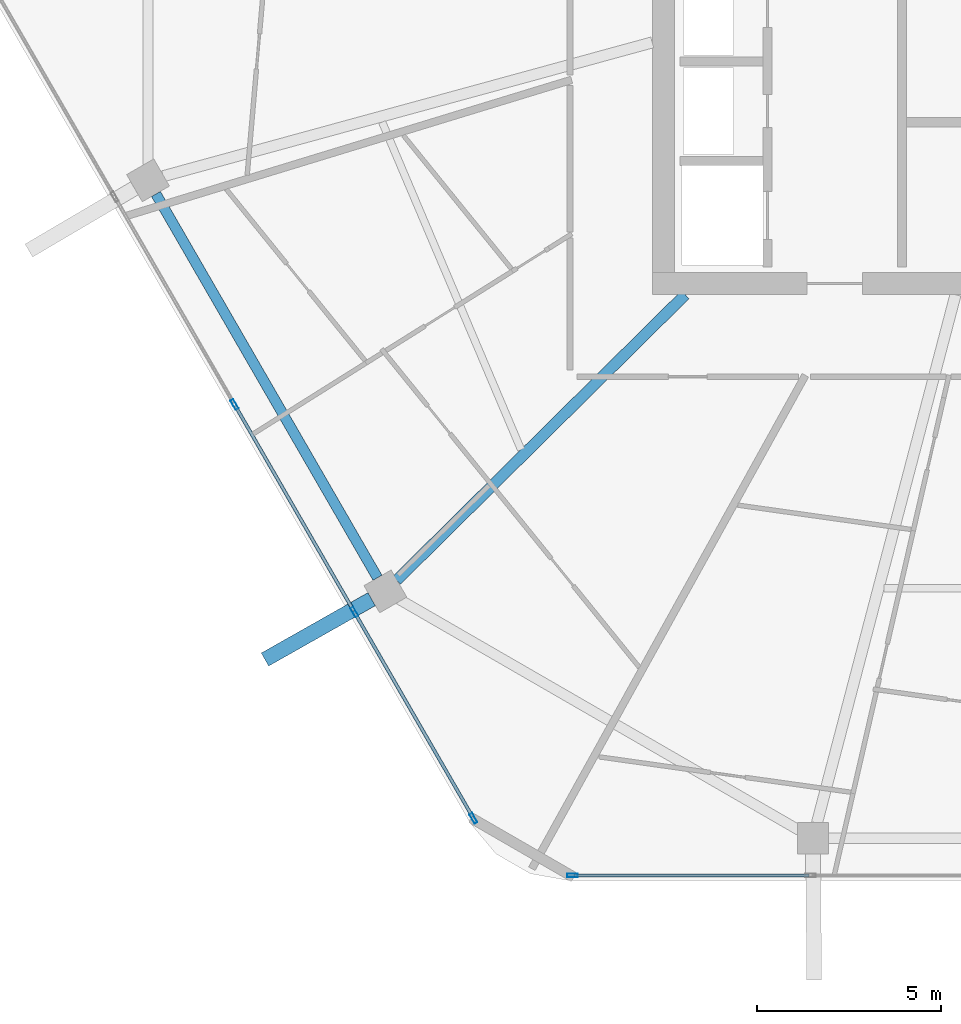
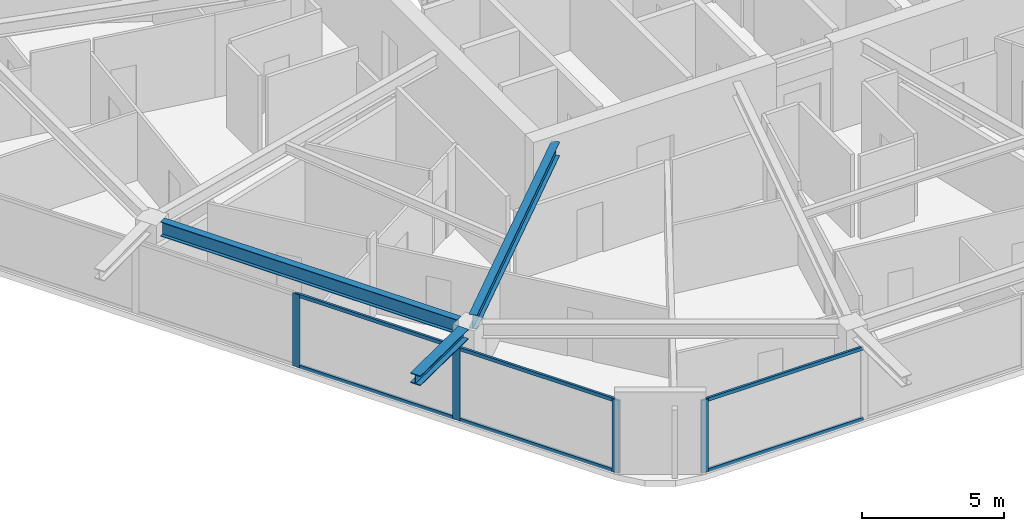
# One storey, part 2 of 26: 10 members, 3 beams, 2 elements without a shape of their own.
"""IFC4 building model written with IfcOpenShell, lengths in metres."""

from ifc_helpers import new_model, si_unit, direction, frame, origin, origin_2d, place, context, subcontext, project, spatial, hollow_rectangle, i_section, extrude, material, material_profile, profile_set, type_object, element, aggregate, save


model = new_model("IFC4")

# Units and contexts
model_context = context("Model", 3, precision=1e-05, world=origin(), true_north=direction((0.0, 1.0)))
body_context = subcontext(model_context, "Body", "Model", "MODEL_VIEW")
ifc_project = project(units=[si_unit("LENGTHUNIT", "METRE"), si_unit("AREAUNIT", "SQUARE_METRE"), si_unit("VOLUMEUNIT", "CUBIC_METRE"), si_unit("PLANEANGLEUNIT", "RADIAN"), si_unit("MASSUNIT", "GRAM", prefix="KILO")], contexts=[model_context])

# Site, building, storey
site_placement = place(None, origin())
site = spatial("IfcSite", under=ifc_project, at=site_placement, CompositionType="ELEMENT")
building_placement = place(site_placement, origin())
building = spatial("IfcBuilding", under=site, at=building_placement, Name="Zuhravey Tower", CompositionType="ELEMENT")
storey_placement = place(building_placement, frame((0.0, 0.0, 280.60009765625)))
storey = spatial("IfcBuildingStorey", under=building, at=storey_placement, Name="L71", CompositionType="ELEMENT", Elevation=280.60009765625)

# Curtain wall, member
ifc_material_1 = material(Name="Thermally broken anodised aluminium", Category="aluminium")
curtain_wall_type = type_object("IfcCurtainWallType", Name="Zone 3-4 High-Rise Curtain Wall CW4", PredefinedType="NOTDEFINED", material=ifc_material_1)
curtain_wall_1_placement = place(storey_placement, origin())
curtain_wall_1 = element("IfcCurtainWall", 1, at=curtain_wall_1_placement, inside=storey, type_object=curtain_wall_type, Name="L71 CW4 CW-L71-F5-1", PredefinedType="NOTDEFINED")
ifc_material_2 = material(Name="Anodised aluminium", Category="aluminium")
ifc_material_profile_1 = material_profile(ifc_material_2, hollow_rectangle(XDim=0.090087890625, YDim=0.284912109375, WallThickness=0.0048828125, at=origin_2d()), Name="ALU-RHS-90x285x5")
ifc_profile_set_1 = profile_set([ifc_material_profile_1], Name="Anodised aluminium")
member_type_1 = type_object("IfcMemberType", Name="Curtain-Wall Mullion 90x180", PredefinedType="MULLION", material=ifc_profile_set_1)
member_1_placement = place(storey_placement, frame((23.0322265625, 6.436279296875, 0.0), z_axis=(0.0, 0.0, 1.0), x_axis=(0.0, -1.0, 0.0)))
member_1 = element("IfcMember", 2, at=member_1_placement, type_object=member_type_1, Name="CW4 mullion 5", PredefinedType="MULLION", context=body_context, shape_type="SweptSolid", body=[
    extrude(hollow_rectangle(XDim=0.090087890625, YDim=0.284912109375, WallThickness=0.0048828125, at=origin_2d()), origin(), (0.0, 0.0, 1.0), 3.121826171875),
])

# Curtain wall, members
curtain_wall_2_placement = place(storey_placement, origin())
curtain_wall_2 = element("IfcCurtainWall", 3, at=curtain_wall_2_placement, inside=storey, type_object=curtain_wall_type, Name="L71 CW4 CW-L71-F4-1", PredefinedType="NOTDEFINED")
member_2_placement = place(storey_placement, frame((20.34521484375, 7.98779296875, 0.0), z_axis=(0.0, 0.0, 1.0), x_axis=(-0.866024851021, -0.500000957414, 0.0)))
member_2 = element("IfcMember", 4, at=member_2_placement, type_object=member_type_1, Name="CW4 mullion 1", PredefinedType="MULLION", context=body_context, shape_type="SweptSolid", body=[
    extrude(hollow_rectangle(XDim=0.090087890625, YDim=0.284912109375, WallThickness=0.0048828125, at=origin_2d()), origin(), (0.0, 0.0, 1.0), 3.121826171875),
])
member_3_placement = place(storey_placement, frame((17.114501953125, 13.58349609375, 0.0), z_axis=(0.0, 0.0, 1.0), x_axis=(-0.866024851021, -0.500000957414, 0.0)))
member_3 = element("IfcMember", 5, at=member_3_placement, type_object=member_type_1, Name="CW4 mullion 2", PredefinedType="MULLION", context=body_context, shape_type="SweptSolid", body=[
    extrude(hollow_rectangle(XDim=0.090087890625, YDim=0.284912109375, WallThickness=0.0048828125, at=origin_2d()), origin(), (0.0, 0.0, 1.0), 3.121826171875),
])
member_4_placement = place(storey_placement, frame((13.861328125, 19.21826171875, 0.0), z_axis=(0.0, 0.0, 1.0), x_axis=(-0.866024851021, -0.500000957414, 0.0)))
member_4 = element("IfcMember", 6, at=member_4_placement, type_object=member_type_1, Name="CW4 mullion 3", PredefinedType="MULLION", context=body_context, shape_type="SweptSolid", body=[
    extrude(hollow_rectangle(XDim=0.090087890625, YDim=0.284912109375, WallThickness=0.0048828125, at=origin_2d()), origin(), (0.0, 0.0, 1.0), 3.121826171875),
])

# Member
ifc_material_profile_2 = material_profile(ifc_material_2, hollow_rectangle(XDim=0.090087890625, YDim=0.14990234375, WallThickness=0.0048828125, at=origin_2d()), Name="ALU-RHS-90x150x5")
ifc_profile_set_2 = profile_set([ifc_material_profile_2], Name="Anodised aluminium")
member_type_2 = type_object("IfcMemberType", Name="Curtain-Wall Transom 90x150", PredefinedType="USERDEFINED", material=ifc_profile_set_2)
member_5_placement = place(storey_placement, frame((29.44873046875, 6.436279296875, 0.044921875), z_axis=(-1.0, 0.0, 0.0), x_axis=(0.0, -1.0, 0.0)))
member_5 = element("IfcMember", 7, at=member_5_placement, type_object=member_type_2, Name="CW4 transom 4.1", ObjectType="TRANSOM", PredefinedType="USERDEFINED", context=body_context, shape_type="SweptSolid", body=[
    extrude(hollow_rectangle(XDim=0.090087890625, YDim=0.14990234375, WallThickness=0.0048828125, at=origin_2d()), origin(), (0.0, 0.0, 1.0), 6.371337890625),
])

member_6_placement = place(storey_placement, frame((29.44873046875, 6.436279296875, 3.076904296875), z_axis=(-1.0, 0.0, 0.0), x_axis=(0.0, -1.0, 0.0)))
member_6 = element("IfcMember", 8, at=member_6_placement, type_object=member_type_2, Name="CW4 transom 4.2", ObjectType="TRANSOM", PredefinedType="USERDEFINED", context=body_context, shape_type="SweptSolid", body=[
    extrude(hollow_rectangle(XDim=0.090087890625, YDim=0.14990234375, WallThickness=0.0048828125, at=origin_2d()), origin(), (0.0, 0.0, 1.0), 6.371337890625),
])

aggregate(curtain_wall_1, [member_1, member_5, member_6])

member_7_placement = place(storey_placement, frame((20.322509765625, 8.02685546875, 0.044921875), z_axis=(-0.499980071345, 0.866036909293, 0.0), x_axis=(-0.866036909293, -0.499980071345, 0.0)))
member_7 = element("IfcMember", 9, at=member_7_placement, type_object=member_type_2, Name="CW4 transom 1.1", ObjectType="TRANSOM", PredefinedType="USERDEFINED", context=body_context, shape_type="SweptSolid", body=[
    extrude(hollow_rectangle(XDim=0.090087890625, YDim=0.14990234375, WallThickness=0.0048828125, at=origin_2d()), origin(), (0.0, 0.0, 1.0), 6.371337890625),
])

member_8_placement = place(storey_placement, frame((20.322509765625, 8.02685546875, 3.076904296875), z_axis=(-0.499980071345, 0.866036909293, 0.0), x_axis=(-0.866036909293, -0.499980071345, 0.0)))
member_8 = element("IfcMember", 10, at=member_8_placement, type_object=member_type_2, Name="CW4 transom 1.2", ObjectType="TRANSOM", PredefinedType="USERDEFINED", context=body_context, shape_type="SweptSolid", body=[
    extrude(hollow_rectangle(XDim=0.090087890625, YDim=0.14990234375, WallThickness=0.0048828125, at=origin_2d()), origin(), (0.0, 0.0, 1.0), 6.371337890625),
])

member_9_placement = place(storey_placement, frame((17.092041015625, 13.62255859375, 0.044921875), z_axis=(-0.500014493347, 0.866017035885, 0.0), x_axis=(-0.866017035885, -0.500014493347, 0.0)))
member_9 = element("IfcMember", 11, at=member_9_placement, type_object=member_type_2, Name="CW4 transom 2.1", ObjectType="TRANSOM", PredefinedType="USERDEFINED", context=body_context, shape_type="SweptSolid", body=[
    extrude(hollow_rectangle(XDim=0.090087890625, YDim=0.14990234375, WallThickness=0.0048828125, at=origin_2d()), origin(), (0.0, 0.0, 1.0), 6.416259765625),
])

member_10_placement = place(storey_placement, frame((17.092041015625, 13.62255859375, 3.076904296875), z_axis=(-0.500014493347, 0.866017035885, 0.0), x_axis=(-0.866017035885, -0.500014493347, 0.0)))
member_10 = element("IfcMember", 12, at=member_10_placement, type_object=member_type_2, Name="CW4 transom 2.2", ObjectType="TRANSOM", PredefinedType="USERDEFINED", context=body_context, shape_type="SweptSolid", body=[
    extrude(hollow_rectangle(XDim=0.090087890625, YDim=0.14990234375, WallThickness=0.0048828125, at=origin_2d()), origin(), (0.0, 0.0, 1.0), 6.416259765625),
])

aggregate(curtain_wall_2, [member_2, member_3, member_4, member_7, member_8, member_9, member_10])

# Beams
ifc_material_3 = material(Name="Steel SM460", Category="steel")
ifc_material_profile_3 = material_profile(ifc_material_3, i_section(OverallWidth=0.406982421875, OverallDepth=0.427978515625, WebThickness=0.02001953125, FlangeThickness=0.034912109375, at=origin_2d()), Name="H-428x407x20x35")
ifc_profile_set_3 = profile_set([ifc_material_profile_3], Name="Steel SM460")
beam_type_1 = type_object("IfcBeamType", Name="Exoskeleton Node Tie Beam H428x407", PredefinedType="BEAM", material=ifc_profile_set_3)
beam_1_placement = place(storey_placement, frame((17.5830078125, 13.93408203125, 3.3359375), z_axis=(-0.870385064001, -0.492371648619, 0.0), x_axis=(0.492371648619, -0.870385064001, 0.0)))
element("IfcBeam", 13, at=beam_1_placement, inside=storey, type_object=beam_type_1, Name="L71 Exoskeleton Node Tie NT1-08", PredefinedType="BEAM", context=body_context, shape_type="SweptSolid", body=[
    extrude(i_section(OverallWidth=0.406982421875, OverallDepth=0.427978515625, WebThickness=0.02001953125, FlangeThickness=0.034912109375, at=origin_2d()), origin(), (0.0, 0.0, 1.0), 3.326171875),
])
ifc_material_4 = material(Name="Steel SM355", Category="steel")
ifc_material_profile_4 = material_profile(ifc_material_4, i_section(OverallWidth=0.280029296875, OverallDepth=0.6201171875, WebThickness=0.011962890625, FlangeThickness=0.02001953125, at=origin_2d()), Name="H-620x280x12x20")
ifc_profile_set_4 = profile_set([ifc_material_profile_4], Name="Steel SM355")
beam_type_2 = type_object("IfcBeamType", Name="Perimeter Ring Beam H620x280", PredefinedType="BEAM", material=ifc_profile_set_4)
beam_2_placement = place(storey_placement, frame((11.7294921875, 24.930419921875, 3.239990234375), z_axis=(0.500005971936, -0.866021955858, 0.0), x_axis=(0.866021955858, 0.500005971936, 0.0)))
element("IfcBeam", 14, at=beam_2_placement, inside=storey, type_object=beam_type_2, Name="L71 PB3 BM-L71-PB-07", PredefinedType="BEAM", context=body_context, shape_type="SweptSolid", body=[
    extrude(i_section(OverallWidth=0.280029296875, OverallDepth=0.6201171875, WebThickness=0.011962890625, FlangeThickness=0.02001953125, at=origin_2d()), origin(), (0.0, 0.0, 1.0), 12.025634765625),
])
ifc_material_profile_5 = material_profile(ifc_material_4, i_section(OverallWidth=0.300048828125, OverallDepth=0.60009765625, WebThickness=0.011962890625, FlangeThickness=0.02001953125, at=origin_2d()), Name="H-600x300x12x20")
ifc_profile_set_5 = profile_set([ifc_material_profile_5], Name="Steel SM355")
beam_type_3 = type_object("IfcBeamType", Name="Radial Primary Girder H600x300", PredefinedType="BEAM", material=ifc_profile_set_5)
beam_3_placement = place(storey_placement, frame((26.09326171875, 22.197021484375, 3.25), z_axis=(-0.710808169267, -0.70338591577, 0.0), x_axis=(0.70338591577, -0.710808169267, 0.0)))
element("IfcBeam", 15, at=beam_3_placement, inside=storey, type_object=beam_type_3, Name="L71 RG3 BM-L71-RAD-08", PredefinedType="BEAM", context=body_context, shape_type="SweptSolid", body=[
    extrude(i_section(OverallWidth=0.300048828125, OverallDepth=0.60009765625, WebThickness=0.011962890625, FlangeThickness=0.02001953125, at=origin_2d()), origin(), (0.0, 0.0, 1.0), 11.019287109375),
])

save(model, "model.ifc")
